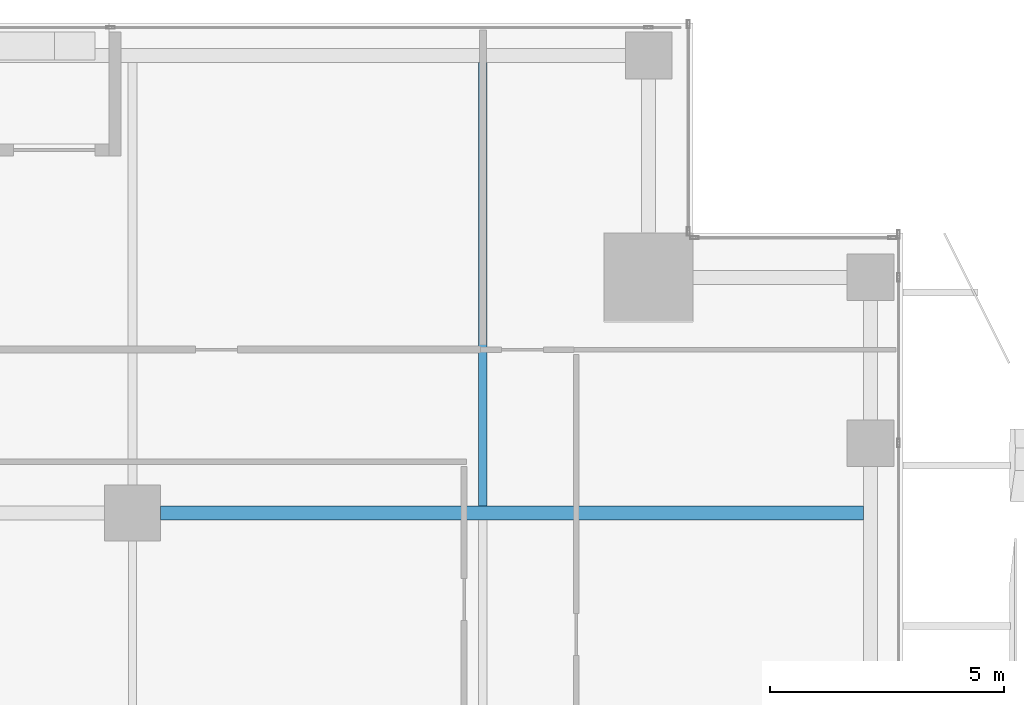
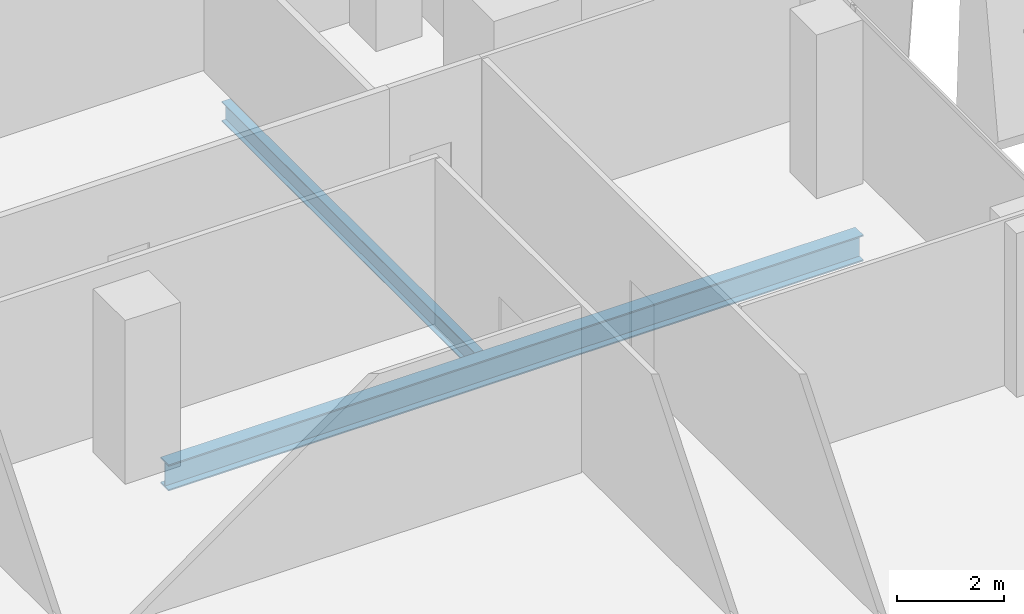
# One storey, part 22 of 38: 2 beams.
"""IFC4 building model written with IfcOpenShell, lengths in metres."""

from ifc_helpers import new_model, si_unit, direction, frame, origin, origin_2d, place, context, subcontext, project, spatial, i_section, extrude, source, transform, mapped, material, material_profile, profile_set, type_object, element, save


model = new_model("IFC4")

# Units and contexts
model_context = context("Model", 3, precision=1e-05, world=origin(), true_north=direction((0.0, 1.0)))
body_context = subcontext(model_context, "Body", "Model", "MODEL_VIEW")
ifc_project = project(units=[si_unit("LENGTHUNIT", "METRE"), si_unit("AREAUNIT", "SQUARE_METRE"), si_unit("VOLUMEUNIT", "CUBIC_METRE"), si_unit("PLANEANGLEUNIT", "RADIAN"), si_unit("MASSUNIT", "GRAM", prefix="KILO")], contexts=[model_context])

# Site, building, storey
site_placement = place(None, origin())
site = spatial("IfcSite", under=ifc_project, at=site_placement, CompositionType="ELEMENT")
building_placement = place(site_placement, origin())
building = spatial("IfcBuilding", under=site, at=building_placement, Name="Khomas Fold Tower", CompositionType="ELEMENT")
storey_placement = place(building_placement, frame((0.0, 0.0, 208.699951171875)))
storey = spatial("IfcBuildingStorey", under=building, at=storey_placement, Name="L46", CompositionType="ELEMENT", Elevation=208.699951171875)

# Beams
ifc_material_1 = material(Name="Steel S355", Category="steel")
ifc_material_profile_1 = material_profile(ifc_material_1, i_section(OverallWidth=0.300048828125, OverallDepth=0.60009765625, WebThickness=0.015380859375, FlangeThickness=0.030029296875, at=origin_2d()), Name="HE 600 B")
ifc_profile_set_1 = profile_set([ifc_material_profile_1], Name="Steel S355")
beam_type_1 = type_object("IfcBeamType", Name="HE 600 B beam GB5", PredefinedType="BEAM", material=ifc_profile_set_1)
shared_shape_1 = source(origin(), body_context, "Body", "SweptSolid", [
    extrude(i_section(OverallWidth=0.300048828125, OverallDepth=0.60009765625, WebThickness=0.015380859375, FlangeThickness=0.030029296875, at=origin_2d()), origin(), (0.0, 0.0, 1.0), 15.0498046875),
])
beam_1_placement = place(storey_placement, frame((35.10009765625, 40.5, -0.550048828125), z_axis=(1.0, 0.0, 0.0), x_axis=(0.0, 1.0, 0.0)))
element("IfcBeam", 1, at=beam_1_placement, inside=storey, type_object=beam_type_1, Name="GB5", PredefinedType="BEAM", context=body_context, shape_type="MappedRepresentation", body=[
    mapped(shared_shape_1, transform((0.0, 0.0, 0.0))),
])
ifc_material_2 = material(Name="Steel S355", Category="steel")
ifc_material_profile_2 = material_profile(ifc_material_2, i_section(OverallWidth=0.18994140625, OverallDepth=0.449951171875, WebThickness=0.009521484375, FlangeThickness=0.0146484375, at=origin_2d()), Name="IPE 450")
ifc_profile_set_2 = profile_set([ifc_material_profile_2], Name="Steel S355")
beam_type_2 = type_object("IfcBeamType", Name="IPE 450 beam JB4", PredefinedType="BEAM", material=ifc_profile_set_2)
shared_shape_2 = source(origin(), body_context, "Body", "SweptSolid", [
    extrude(i_section(OverallWidth=0.18994140625, OverallDepth=0.449951171875, WebThickness=0.009521484375, FlangeThickness=0.0146484375, at=origin_2d()), origin(), (0.0, 0.0, 1.0), 9.5),
])
beam_2_placement = place(storey_placement, frame((42.0, 40.64990234375, -0.474853515625), z_axis=(0.0, 1.0, 0.0), x_axis=(-1.0, 0.0, 0.0)))
element("IfcBeam", 2, at=beam_2_placement, inside=storey, type_object=beam_type_2, Name="JB4", PredefinedType="BEAM", context=body_context, shape_type="MappedRepresentation", body=[
    mapped(shared_shape_2, transform((0.0, 0.0, 0.0))),
])

save(model, "model.ifc")
